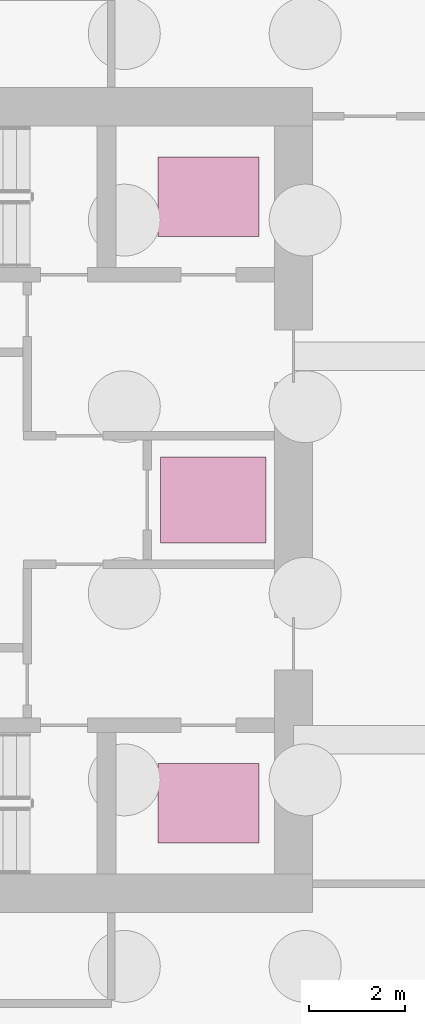
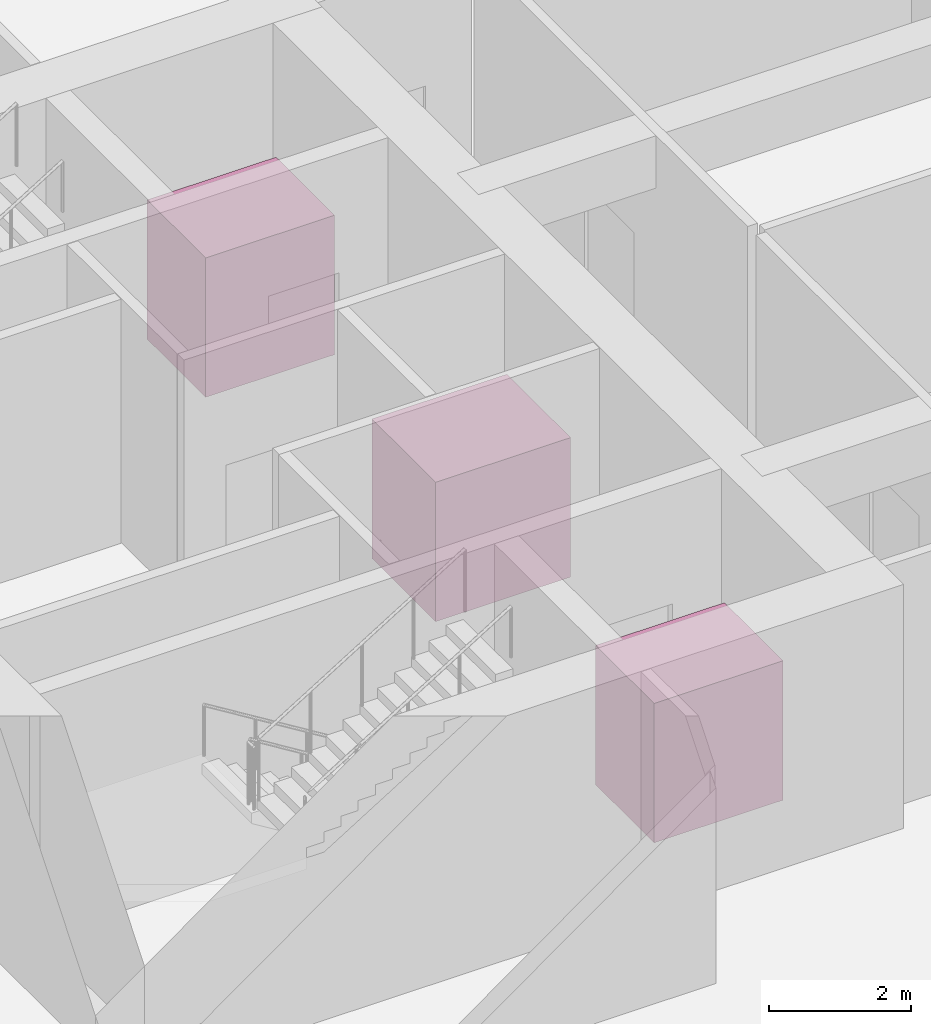
# One storey, part 11 of 11: 3 transport elements.
"""IFC4 building model written with IfcOpenShell, lengths in metres."""

import ifcopenshell
import ifcopenshell.guid

model = None  # the IFC model being written
_history = None  # IfcOwnerHistory: only IFC2X3 demands one
_inside = {}  # id of a spatial element -> (the spatial element, [elements in it])
_under = {}  # id of a project, library or spatial element -> (it, [spatial elements below it])
_declared = {}  # id of a project -> (the project, [libraries it declares])
_typed = {}  # id of a type object -> (the type object, [elements of that type])
_made_of = {}  # id of a material, layer set ... -> (it, [elements and type objects made of it])


def new_model(schema):
    """Start an empty IFC model of exactly this schema.

    Asked for "IFC4X3", IfcOpenShell would pick the latest addendum, in which some entities
    have other attributes; the version numbers below select the first issue.
    IFC2X3 requires an IfcOwnerHistory on every rooted entity: one is made here for all.
    """
    global model, _history
    if schema == "IFC4X3":
        model = ifcopenshell.file(schema_version=(4, 3, 0, 0))
    else:
        model = ifcopenshell.file(schema=schema)
    _inside.clear()
    _under.clear()
    _declared.clear()
    _typed.clear()
    _made_of.clear()
    _history = None
    if model.schema == "IFC2X3":
        org = make("IfcOrganization", Name="unknown")
        user = make(
            "IfcPersonAndOrganization",
            ThePerson=make("IfcPerson", FamilyName="unknown"),
            TheOrganization=org,
        )
        app = make(
            "IfcApplication",
            ApplicationDeveloper=org,
            Version="unknown",
            ApplicationFullName="unknown",
            ApplicationIdentifier="unknown",
        )
        _history = make(
            "IfcOwnerHistory",
            OwningUser=user,
            OwningApplication=app,
            ChangeAction="ADDED",
            CreationDate=0,
        )
    return model


def make(cls, **values):
    """One entity of the class cls with the attributes given. An attribute that is None is left unset."""
    return model.create_entity(
        cls, **{name: value for name, value in values.items() if value is not None}
    )


def rooted(cls, **values):
    """An entity with a GlobalId (a new one), such as an element, a storey or a relation."""
    return make(cls, GlobalId=ifcopenshell.guid.new(), OwnerHistory=_history, **values)


def si_unit(unit_type, name, prefix=None):
    """IfcSIUnit, for example si_unit("LENGTHUNIT", "METRE", prefix="MILLI")."""
    return make("IfcSIUnit", UnitType=unit_type, Prefix=prefix, Name=name)


def assignment(units):
    """IfcUnitAssignment: the units of a project."""
    return None if units is None else make("IfcUnitAssignment", Units=units)


def point(xyz):
    """IfcCartesianPoint."""
    return None if xyz is None else make("IfcCartesianPoint", Coordinates=xyz)


def direction(xyz):
    """IfcDirection."""
    return None if xyz is None else make("IfcDirection", DirectionRatios=xyz)


def frame(location, z_axis=None, x_axis=None):
    """IfcAxis2Placement3D, a coordinate frame: its origin and axes. An axis left out is left unset."""
    return make(
        "IfcAxis2Placement3D",
        Location=point(location),
        Axis=direction(z_axis),
        RefDirection=direction(x_axis),
    )


def frame_2d(location, x_axis=None):
    """IfcAxis2Placement2D, a coordinate frame in the plane: its origin and x axis."""
    return make(
        "IfcAxis2Placement2D", Location=point(location), RefDirection=direction(x_axis)
    )


def origin():
    """The frame at (0, 0, 0) with its axes left unset."""
    return frame((0.0, 0.0, 0.0))


def origin_2d():
    """The frame at (0, 0) in the plane with its x axis left unset."""
    return frame_2d((0.0, 0.0))


def place(relative_to, where):
    """IfcLocalPlacement: puts the frame where relative to a parent placement (None: the world)."""
    return make(
        "IfcLocalPlacement", PlacementRelTo=relative_to, RelativePlacement=where
    )


def context(
    kind, dimensions, precision=None, world=None, true_north=None, identifier=None
):
    """IfcGeometricRepresentationContext, for example the 3D "Model" context."""
    return make(
        "IfcGeometricRepresentationContext",
        ContextIdentifier=identifier,
        ContextType=kind,
        CoordinateSpaceDimension=dimensions,
        Precision=precision,
        WorldCoordinateSystem=world,
        TrueNorth=true_north,
    )


def subcontext(parent, identifier, kind, view, scale=None):
    """IfcGeometricRepresentationSubContext, for example "Body" below "Model"."""
    return make(
        "IfcGeometricRepresentationSubContext",
        ContextIdentifier=identifier,
        ContextType=kind,
        ParentContext=parent,
        TargetScale=scale,
        TargetView=view,
    )


def project(units=None, contexts=None):
    """IfcProject with its units and contexts."""
    return rooted(
        "IfcProject",
        Name="project",
        RepresentationContexts=contexts,
        UnitsInContext=assignment(units),
    )


def spatial(cls, under=None, at=None, **own):
    """A site, building, storey or space (cls), placed at a placement, below another one or the project."""
    s = rooted(cls, ObjectPlacement=at, **own)
    if under is not None:
        _under.setdefault(under.id(), (under, []))[1].append(s)
    return s


def profile(cls, at=None, kind="AREA", **sizes):
    """A parametric profile (cls). Its sizes go by their IFC names, for example OverallWidth=200.0."""
    return make(cls, ProfileType=kind, Position=at, **sizes)


def rectangle(**sizes):
    """IfcRectangleProfileDef."""
    return profile("IfcRectangleProfileDef", **sizes)


def extrude(swept, where, along, depth):
    """IfcExtrudedAreaSolid: the profile swept, set in the frame where, extruded along a direction by depth."""
    return make(
        "IfcExtrudedAreaSolid",
        SweptArea=swept,
        Position=where,
        ExtrudedDirection=direction(along),
        Depth=depth,
    )


def shape(context_of_items, identifier, shape_type, items):
    """IfcShapeRepresentation: the items that make up one representation, for example the "Body"."""
    return make(
        "IfcShapeRepresentation",
        ContextOfItems=context_of_items,
        RepresentationIdentifier=identifier,
        RepresentationType=shape_type,
        Items=items,
    )


def source(mapping_origin, context_of_items, identifier, shape_type, items):
    """IfcRepresentationMap: a shape defined once, which mapped items show again and again."""
    return make(
        "IfcRepresentationMap",
        MappingOrigin=mapping_origin,
        MappedRepresentation=shape(context_of_items, identifier, shape_type, items),
    )


def transform(
    local_origin,
    x_axis=None,
    y_axis=None,
    z_axis=None,
    scale=None,
    scale2=None,
    scale3=None,
    uniform=True,
):
    """IfcCartesianTransformationOperator3D, or its non-uniform kind. x_axis, y_axis, z_axis: its Axis1, 2, 3."""
    if uniform:
        return make(
            "IfcCartesianTransformationOperator3D",
            Axis1=direction(x_axis),
            Axis2=direction(y_axis),
            LocalOrigin=point(local_origin),
            Scale=scale,
            Axis3=direction(z_axis),
        )
    return make(
        "IfcCartesianTransformationOperator3DnonUniform",
        Axis1=direction(x_axis),
        Axis2=direction(y_axis),
        LocalOrigin=point(local_origin),
        Scale=scale,
        Axis3=direction(z_axis),
        Scale2=scale2,
        Scale3=scale3,
    )


def mapped(mapping_source, mapping_target):
    """IfcMappedItem: shows the shape of a source again, moved by a transform."""
    return make(
        "IfcMappedItem", MappingSource=mapping_source, MappingTarget=mapping_target
    )


def material(Name=None, Category=None):
    """IfcMaterial."""
    return make("IfcMaterial", Name=Name, Category=Category)


def made_of(thing, what):
    """Note that an element or type object is made of a material, layer set ...; save() writes the relation."""
    if what is not None:
        _made_of.setdefault(what.id(), (what, []))[1].append(thing)
    return thing


def type_object(cls, material=None, **own):
    """A type object (cls), such as IfcWallType, which elements share."""
    return made_of(rooted(cls, **own), material)


def element(
    cls,
    number,
    at=None,
    inside=None,
    cuts=None,
    type_object=None,
    material=None,
    context=None,
    identifier="Body",
    shape_type=None,
    held_by="IfcProductDefinitionShape",
    body=None,
    shapes=None,
    **own,
):
    """One element of the class cls, such as IfcWall. Its Tag is "e" and its number.

    at: its placement. inside: the storey or other place that contains it. cuts: it is an
    opening in that element (IfcRelVoidsElement). A single representation is given by context,
    identifier, shape_type and body (its items); several are given by shapes. held_by: the class
    of the entity that holds the representations. save() writes the other relations.
    """
    e = rooted(cls, Tag="e%d" % number, ObjectPlacement=at, **own)
    if body is not None:
        shapes = [shape(context, identifier, shape_type, body)]
    if shapes is not None:
        e.Representation = make(held_by, Representations=shapes)
    if inside is not None:
        _inside.setdefault(inside.id(), (inside, []))[1].append(e)
    if cuts is not None:
        rooted(
            "IfcRelVoidsElement", RelatingBuildingElement=cuts, RelatedOpeningElement=e
        )
    if type_object is not None:
        _typed.setdefault(type_object.id(), (type_object, []))[1].append(e)
    return made_of(e, material)


def aggregate(whole, parts):
    """IfcRelAggregates: a whole, such as a stair, and the parts it consists of."""
    return rooted("IfcRelAggregates", RelatingObject=whole, RelatedObjects=parts)


def save(model, path):
    """Write the relations noted so far, then the file.

    IfcRelAggregates (storeys below a building ...), IfcRelContainedInSpatialStructure (elements
    in a storey), IfcRelDefinesByType, IfcRelAssociatesMaterial and IfcRelDeclares: one each for
    every whole, place, type object, material and project.
    """
    for whole, parts in _under.values():
        aggregate(whole, parts)
    for where, things in _inside.values():
        rooted(
            "IfcRelContainedInSpatialStructure",
            RelatedElements=things,
            RelatingStructure=where,
        )
    for kind, things in _typed.values():
        rooted("IfcRelDefinesByType", RelatedObjects=things, RelatingType=kind)
    for what, things in _made_of.values():
        rooted("IfcRelAssociatesMaterial", RelatedObjects=things, RelatingMaterial=what)
    for by, libraries in _declared.values():
        rooted("IfcRelDeclares", RelatingContext=by, RelatedDefinitions=libraries)
    model.write(path)


model = new_model("IFC4")

# Units and contexts
model_context = context("Model", 3, precision=1e-05, world=origin(), true_north=direction((0.0, 1.0)))
body_context = subcontext(model_context, "Body", "Model", "MODEL_VIEW")
ifc_project = project(units=[si_unit("LENGTHUNIT", "METRE"), si_unit("AREAUNIT", "SQUARE_METRE"), si_unit("VOLUMEUNIT", "CUBIC_METRE"), si_unit("PLANEANGLEUNIT", "RADIAN"), si_unit("MASSUNIT", "GRAM", prefix="KILO")], contexts=[model_context])

# Site, building, storey
site_placement = place(None, origin())
site = spatial("IfcSite", under=ifc_project, at=site_placement, CompositionType="ELEMENT")
building_placement = place(site_placement, origin())
building = spatial("IfcBuilding", under=site, at=building_placement, Name="Qafzar Sky-Pleat Residences", CompositionType="ELEMENT")
storey_placement = place(building_placement, frame((0.0, 0.0, -8.699951171875)))
storey = spatial("IfcBuildingStorey", under=building, at=storey_placement, Name="B02", CompositionType="ELEMENT", Elevation=-8.699951171875)

# Transport elements
ifc_material_1 = material(Name="Stainless steel firefighting and stretcher lift cab", Category="steel")
transport_element_type_1 = type_object("IfcTransportElementType", Name="LIFT-FF-2000", PredefinedType="ELEVATOR", material=ifc_material_1)
shared_shape_1 = source(origin(), body_context, "Body", "SweptSolid", [
    extrude(rectangle(XDim=2.10009765625, YDim=1.64990234375, at=origin_2d()), origin(), (0.0, 0.0, 1.0), 2.39990234375),
])
for number, where, z_axis, x_axis, name in (
    (1, (34.52490234375, 19.675048828125, 0.0), (0.0, 0.0, 1.0), (1.0, 0.0, 0.0), "Firefighting Lift FF1"),
    (2, (34.52490234375, 32.324951171875, 0.0), (0.0, 0.0, 1.0), (1.0, 0.0, 0.0), "Firefighting Lift FF2"),
):
    element("IfcTransportElement", number, at=place(storey_placement, frame(where, z_axis=z_axis, x_axis=x_axis)), inside=storey, type_object=transport_element_type_1, Name=name, PredefinedType="ELEVATOR", context=body_context, shape_type="MappedRepresentation", body=[
        mapped(shared_shape_1, transform((0.0, 0.0, 0.0), x_axis=(1.0, 0.0, 0.0), y_axis=(0.0, 1.0, 0.0), z_axis=(0.0, 0.0, 1.0), scale=1.0)),
    ])
ifc_material_2 = material(Name="Heavy-duty stainless steel goods lift cab", Category="steel")
transport_element_type_2 = type_object("IfcTransportElementType", Name="LIFT-SVC-2500", PredefinedType="ELEVATOR", material=ifc_material_2)
shared_shape_2 = source(origin(), body_context, "Body", "SweptSolid", [
    extrude(rectangle(XDim=2.199951171875, YDim=1.800048828125, at=origin_2d()), origin(), (0.0, 0.0, 1.0), 2.39990234375),
])
transport_element_placement = place(storey_placement, frame((34.625, 26.0, 0.0), z_axis=(0.0, 0.0, 1.0), x_axis=(1.0, 0.0, 0.0)))
element("IfcTransportElement", 3, at=transport_element_placement, inside=storey, type_object=transport_element_type_2, Name="Service Lift SV1", PredefinedType="ELEVATOR", context=body_context, shape_type="MappedRepresentation", body=[
    mapped(shared_shape_2, transform((0.0, 0.0, 0.0), x_axis=(1.0, 0.0, 0.0), y_axis=(0.0, 1.0, 0.0), z_axis=(0.0, 0.0, 1.0), scale=1.0)),
])

save(model, "model.ifc")
